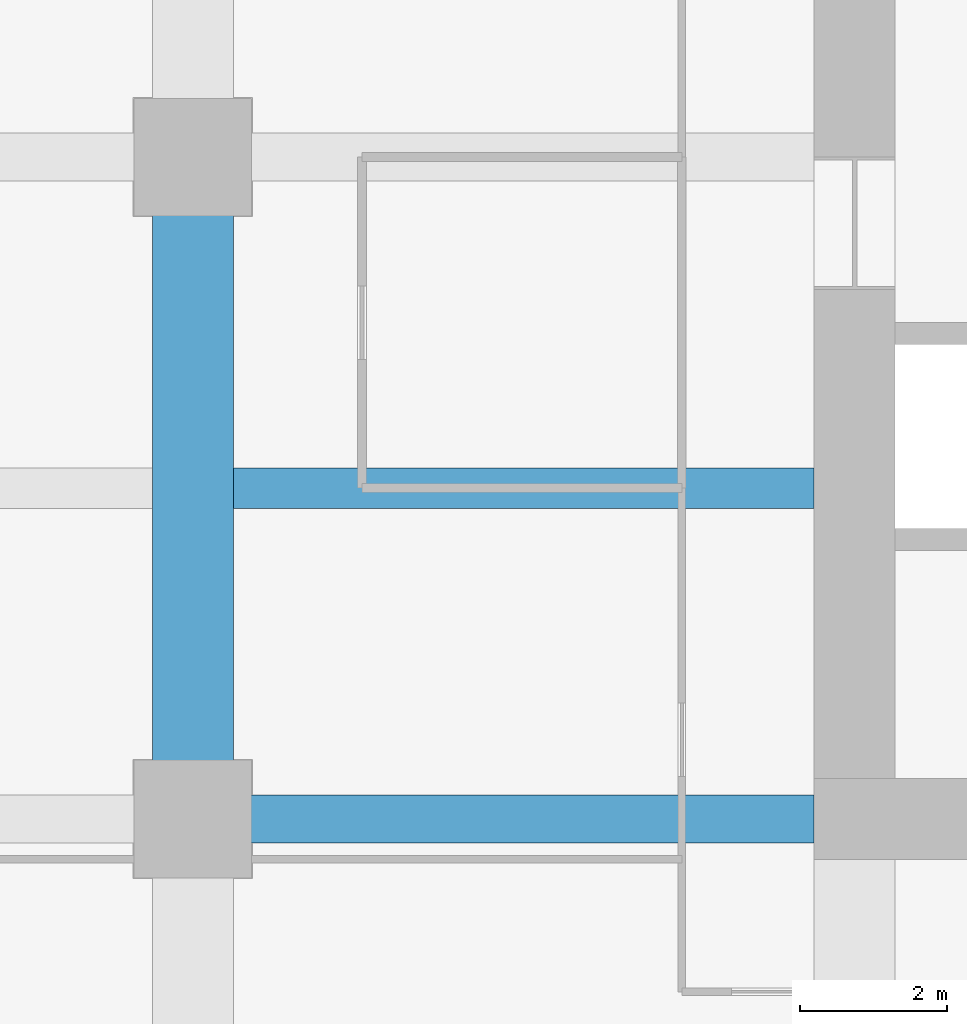
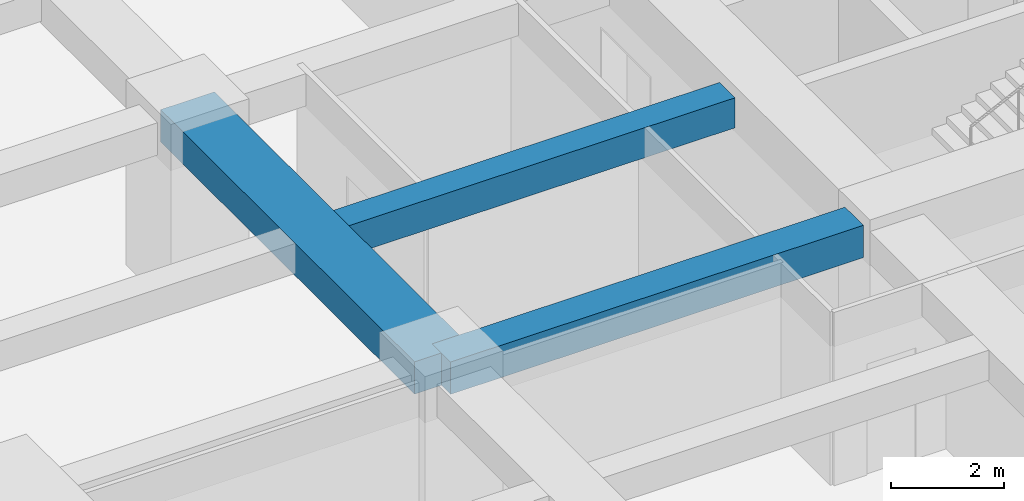
# One storey, part 10 of 33: 3 beams.
"""IFC4 building model written with IfcOpenShell, lengths in metres."""

from ifc_helpers import new_model, si_unit, direction, frame, origin, origin_2d, place, context, subcontext, project, spatial, rectangle, extrude, material, material_profile, profile_set, type_object, element, save


model = new_model("IFC4")

# Units and contexts
model_context = context("Model", 3, precision=1e-05, world=origin(), true_north=direction((0.0, 1.0)))
body_context = subcontext(model_context, "Body", "Model", "MODEL_VIEW")
ifc_project = project(units=[si_unit("LENGTHUNIT", "METRE"), si_unit("AREAUNIT", "SQUARE_METRE"), si_unit("VOLUMEUNIT", "CUBIC_METRE"), si_unit("PLANEANGLEUNIT", "RADIAN"), si_unit("MASSUNIT", "GRAM", prefix="KILO")], contexts=[model_context])

# Site, building, storey
site_placement = place(None, origin())
site = spatial("IfcSite", under=ifc_project, at=site_placement, CompositionType="ELEMENT")
building_placement = place(site_placement, origin())
building = spatial("IfcBuilding", under=site, at=building_placement, Name="Zorevar Civic Tower", CompositionType="ELEMENT")
storey_placement = place(building_placement, frame((0.0, 0.0, 178.199951171875)))
storey = spatial("IfcBuildingStorey", under=building, at=storey_placement, Name="L43", CompositionType="ELEMENT", Elevation=178.199951171875)

# Beams
ifc_material_1 = material(Name="Concrete C50/60", Category="concrete")
ifc_material_profile_1 = material_profile(ifc_material_1, rectangle(XDim=1.10009765625, YDim=0.699951171875, at=origin_2d()), Name="RC 1100x700")
ifc_profile_set_1 = profile_set([ifc_material_profile_1], Name="Concrete C50/60")
beam_type_1 = type_object("IfcBeamType", Name="Beam RC 1100x700", PredefinedType="BEAM", material=ifc_profile_set_1)
beam_1_placement = place(storey_placement, frame((9.0, 18.0, 3.400146484375), z_axis=(0.0, 1.0, 0.0), x_axis=(-1.0, 0.0, 0.0)))
element("IfcBeam", 1, at=beam_1_placement, inside=storey, type_object=beam_type_1, Name="Girder L44", PredefinedType="BEAM", context=body_context, shape_type="SweptSolid", body=[
    extrude(rectangle(XDim=1.10009765625, YDim=0.699951171875, at=origin_2d()), origin(), (0.0, 0.0, 1.0), 9.0),
])
ifc_material_2 = material(Name="Concrete C50/60", Category="concrete")
ifc_material_profile_2 = material_profile(ifc_material_2, rectangle(XDim=0.550048828125, YDim=0.64990234375, at=origin_2d()), Name="RC 550x650")
ifc_profile_set_2 = profile_set([ifc_material_profile_2], Name="Concrete C50/60")
beam_type_2 = type_object("IfcBeamType", Name="Beam RC 550x650", PredefinedType="BEAM", material=ifc_profile_set_2)
beam_2_placement = place(storey_placement, frame((9.550048828125, 22.5, 3.425048828125), z_axis=(1.0, 0.0, 0.0), x_axis=(0.0, 1.0, 0.0)))
element("IfcBeam", 2, at=beam_2_placement, inside=storey, type_object=beam_type_2, Name="Secondary beam L44", PredefinedType="BEAM", context=body_context, shape_type="SweptSolid", body=[
    extrude(rectangle(XDim=0.550048828125, YDim=0.64990234375, at=origin_2d()), origin(), (0.0, 0.0, 1.0), 7.89990234375),
])
ifc_material_3 = material(Name="Concrete C50/60", Category="concrete")
ifc_material_profile_3 = material_profile(ifc_material_3, rectangle(XDim=0.64990234375, YDim=0.699951171875, at=origin_2d()), Name="RC 650x700")
ifc_profile_set_3 = profile_set([ifc_material_profile_3], Name="Concrete C50/60")
beam_type_3 = type_object("IfcBeamType", Name="Beam RC 650x700", PredefinedType="BEAM", material=ifc_profile_set_3)
beam_3_placement = place(storey_placement, frame((9.0, 18.0, 3.400146484375), z_axis=(1.0, 0.0, 0.0), x_axis=(0.0, 1.0, 0.0)))
element("IfcBeam", 3, at=beam_3_placement, inside=storey, type_object=beam_type_3, Name="Girder L44", PredefinedType="BEAM", context=body_context, shape_type="SweptSolid", body=[
    extrude(rectangle(XDim=0.64990234375, YDim=0.699951171875, at=origin_2d()), origin(), (0.0, 0.0, 1.0), 8.449951171875),
])

save(model, "model.ifc")
